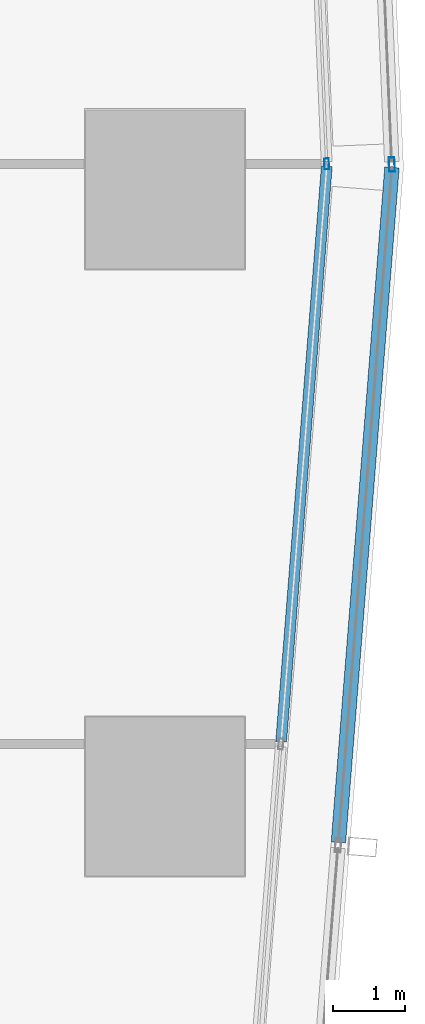
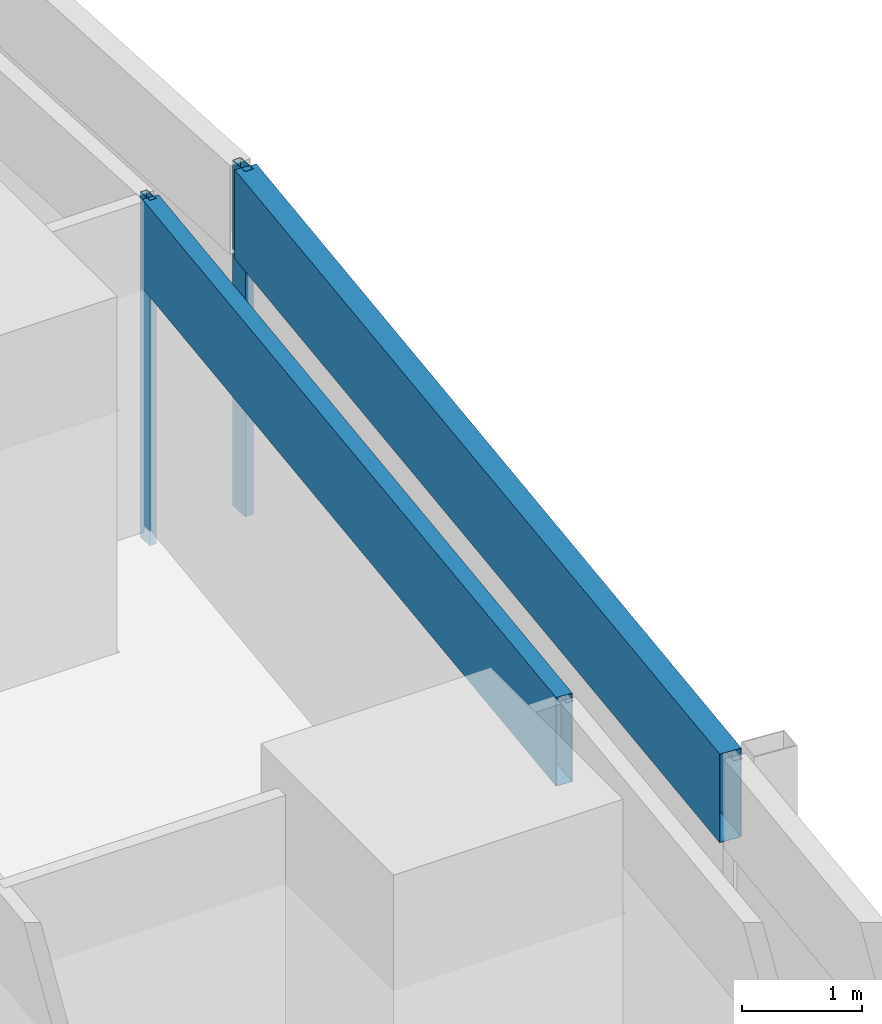
# One storey, part 26 of 44: 4 members, 4 elements without a shape of their own.
"""IFC4 building model written with IfcOpenShell, lengths in metres."""

from ifc_helpers import new_model, si_unit, direction, frame, origin, origin_2d, place, context, subcontext, project, spatial, hollow_rectangle, extrude, material, material_profile, profile_set, type_object, element, aggregate, save


model = new_model("IFC4")

# Units and contexts
model_context = context("Model", 3, precision=1e-05, world=origin(), true_north=direction((0.0, 1.0)))
body_context = subcontext(model_context, "Body", "Model", "MODEL_VIEW")
ifc_project = project(units=[si_unit("LENGTHUNIT", "METRE"), si_unit("AREAUNIT", "SQUARE_METRE"), si_unit("VOLUMEUNIT", "CUBIC_METRE"), si_unit("PLANEANGLEUNIT", "RADIAN"), si_unit("MASSUNIT", "GRAM", prefix="KILO")], contexts=[model_context])

# Site, building, storey
site_placement = place(None, origin())
site = spatial("IfcSite", under=ifc_project, at=site_placement, CompositionType="ELEMENT")
building_placement = place(site_placement, origin())
building = spatial("IfcBuilding", under=site, at=building_placement, Name="Rekha Terrace Tower", CompositionType="ELEMENT")
storey_placement = place(building_placement, frame((0.0, 0.0, 66.64990234375)))
storey = spatial("IfcBuildingStorey", under=building, at=storey_placement, Name="L16", CompositionType="ELEMENT", Elevation=66.64990234375)

# Curtain wall, member
ifc_material_1 = material(Name="Aluminium framing", Category="aluminium")
curtain_wall_type_1 = type_object("IfcCurtainWallType", Name="CW1 double skin inner glazing", PredefinedType="USERDEFINED", material=ifc_material_1)
curtain_wall_1_placement = place(storey_placement, origin())
curtain_wall_1 = element("IfcCurtainWall", 1, at=curtain_wall_1_placement, inside=storey, type_object=curtain_wall_type_1, Name="CW1 double skin inner glazing", ObjectType="DOUBLE SKIN INNER GLAZING", PredefinedType="USERDEFINED")
ifc_material_2 = material(Name="Aluminium mullion section", Category="aluminium")
ifc_material_profile_1 = material_profile(ifc_material_2, hollow_rectangle(XDim=0.06494140625, YDim=0.14990234375, WallThickness=0.00390625, at=origin_2d()), Name="AL RHS 65x150")
ifc_profile_set_1 = profile_set([ifc_material_profile_1], Name="Aluminium mullion section")
member_type_1 = type_object("IfcMemberType", Name="CW1 mullion RHS 65 x 150", PredefinedType="MULLION", material=ifc_profile_set_1)
member_1_placement = place(storey_placement, frame((69.436767578125, 25.5517578125, 0.0), z_axis=(0.0, 0.0, 1.0), x_axis=(-0.999088106904, -0.042696072921, 0.0)))
member_1 = element("IfcMember", 2, at=member_1_placement, type_object=member_type_1, Name="CW1 mullion 1", PredefinedType="MULLION", context=body_context, shape_type="SweptSolid", body=[
    extrude(hollow_rectangle(XDim=0.06494140625, YDim=0.14990234375, WallThickness=0.00390625, at=origin_2d()), origin(), (0.0, 0.0, 1.0), 3.5),
])
aggregate(curtain_wall_1, [member_1])

curtain_wall_2_placement = place(storey_placement, origin())
curtain_wall_2 = element("IfcCurtainWall", 3, at=curtain_wall_2_placement, inside=storey, type_object=curtain_wall_type_1, Name="CW1 double skin inner glazing", ObjectType="DOUBLE SKIN INNER GLAZING", PredefinedType="USERDEFINED")
ifc_material_3 = material(Name="Insulated aluminium spandrel box", Category="aluminium")
ifc_material_profile_2 = material_profile(ifc_material_3, hollow_rectangle(XDim=0.14990234375, YDim=0.89990234375, WallThickness=0.0029296875, at=origin_2d()), Name="AL SPANDREL BOX 150x900")
ifc_profile_set_2 = profile_set([ifc_material_profile_2], Name="Insulated aluminium spandrel box")
member_type_2 = type_object("IfcMemberType", Name="CW1 spandrel transom 150 x 900", PredefinedType="USERDEFINED", material=ifc_profile_set_2)
member_2_placement = place(storey_placement, frame((68.80615234375, 17.555908203125, 3.050048828125), z_axis=(0.07912449621, 0.996864742129, 0.0), x_axis=(-0.996864742129, 0.07912449621, 0.0)))
member_2 = element("IfcMember", 4, at=member_2_placement, type_object=member_type_2, Name="CW1 spandrel transom 2", ObjectType="TRANSOM", PredefinedType="USERDEFINED", context=body_context, shape_type="SweptSolid", body=[
    extrude(hollow_rectangle(XDim=0.14990234375, YDim=0.89990234375, WallThickness=0.0029296875, at=origin_2d()), origin(), (0.0, 0.0, 1.0), 7.988525390625),
])
aggregate(curtain_wall_2, [member_2])

curtain_wall_type_2 = type_object("IfcCurtainWallType", Name="CW2 double skin outer glazing", PredefinedType="USERDEFINED", material=ifc_material_1)
curtain_wall_3_placement = place(storey_placement, origin())
curtain_wall_3 = element("IfcCurtainWall", 5, at=curtain_wall_3_placement, inside=storey, type_object=curtain_wall_type_2, Name="CW2 double skin outer glazing", ObjectType="DOUBLE SKIN OUTER GLAZING", PredefinedType="USERDEFINED")
ifc_material_profile_3 = material_profile(ifc_material_2, hollow_rectangle(XDim=0.080078125, YDim=0.199951171875, WallThickness=0.00390625, at=origin_2d()), Name="AL RHS 80x200")
ifc_profile_set_3 = profile_set([ifc_material_profile_3], Name="Aluminium mullion section")
member_type_3 = type_object("IfcMemberType", Name="CW2 mullion RHS 80 x 200", PredefinedType="MULLION", material=ifc_profile_set_3)
member_3_placement = place(storey_placement, frame((70.338134765625, 25.54296875, 0.0), z_axis=(0.0, 0.0, 1.0), x_axis=(-0.999088106903, -0.042696072956, 0.0)))
member_3 = element("IfcMember", 6, at=member_3_placement, type_object=member_type_3, Name="CW2 mullion 1", PredefinedType="MULLION", context=body_context, shape_type="SweptSolid", body=[
    extrude(hollow_rectangle(XDim=0.080078125, YDim=0.199951171875, WallThickness=0.00390625, at=origin_2d()), origin(), (0.0, 0.0, 1.0), 3.5),
])
aggregate(curtain_wall_3, [member_3])

curtain_wall_4_placement = place(storey_placement, origin())
curtain_wall_4 = element("IfcCurtainWall", 7, at=curtain_wall_4_placement, inside=storey, type_object=curtain_wall_type_2, Name="CW2 double skin outer glazing", ObjectType="DOUBLE SKIN OUTER GLAZING", PredefinedType="USERDEFINED")
ifc_material_profile_4 = material_profile(ifc_material_3, hollow_rectangle(XDim=0.199951171875, YDim=0.89990234375, WallThickness=0.0029296875, at=origin_2d()), Name="AL SPANDREL BOX 200x900")
ifc_profile_set_4 = profile_set([ifc_material_profile_4], Name="Insulated aluminium spandrel box")
member_type_4 = type_object("IfcMemberType", Name="CW2 spandrel transom 200 x 900", PredefinedType="USERDEFINED", material=ifc_profile_set_4)
member_4_placement = place(storey_placement, frame((69.5986328125, 16.16552734375, 3.050048828125), z_axis=(0.079131924046, 0.996864152529, 0.0), x_axis=(-0.996864152529, 0.079131924046, 0.0)))
member_4 = element("IfcMember", 8, at=member_4_placement, type_object=member_type_4, Name="CW2 spandrel transom 2", ObjectType="TRANSOM", PredefinedType="USERDEFINED", context=body_context, shape_type="SweptSolid", body=[
    extrude(hollow_rectangle(XDim=0.199951171875, YDim=0.89990234375, WallThickness=0.0029296875, at=origin_2d()), origin(), (0.0, 0.0, 1.0), 9.36669921875),
])
aggregate(curtain_wall_4, [member_4])

save(model, "model.ifc")
